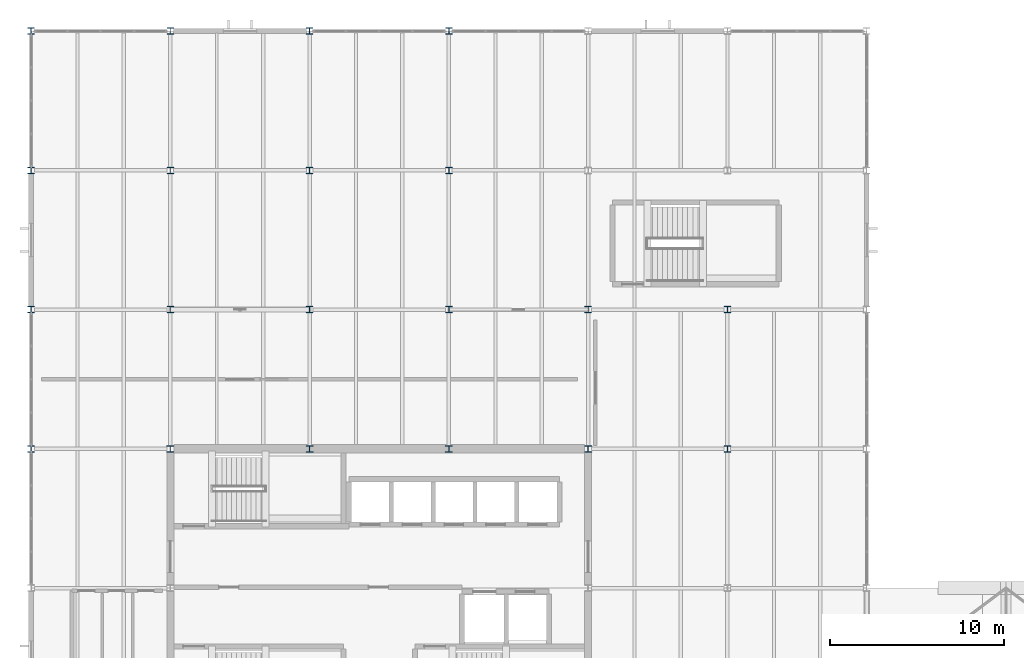
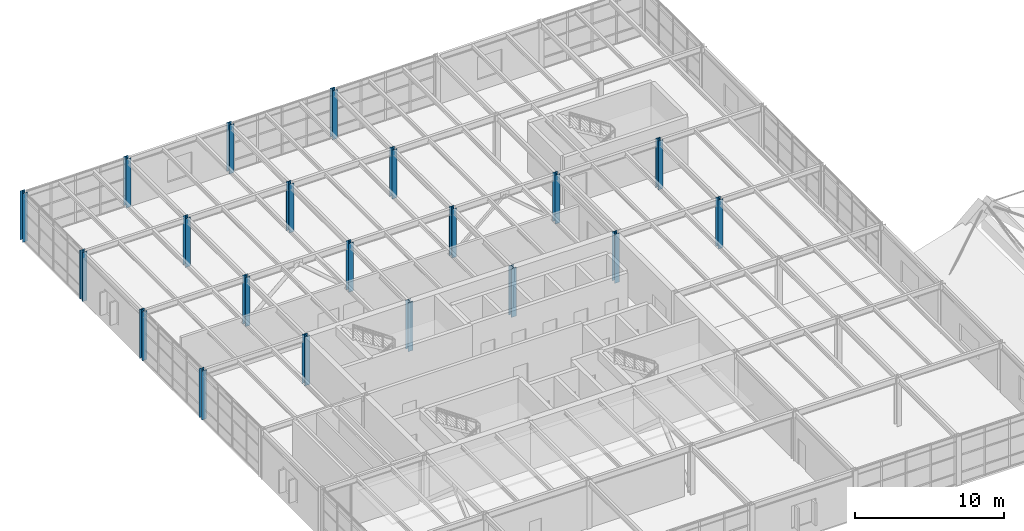
# One storey, part 3 of 50: 20 columns.
"""IFC4 building model written with IfcOpenShell, lengths in metres."""

from ifc_helpers import new_model, si_unit, direction, frame, origin, origin_2d, place, context, subcontext, project, spatial, i_section, extrude, material, material_profile, profile_set, type_object, element, save


model = new_model("IFC4")

# Units and contexts
model_context = context("Model", 3, precision=1e-05, world=origin(), true_north=direction((0.0, 1.0)))
body_context = subcontext(model_context, "Body", "Model", "MODEL_VIEW")
ifc_project = project(units=[si_unit("LENGTHUNIT", "METRE"), si_unit("AREAUNIT", "SQUARE_METRE"), si_unit("VOLUMEUNIT", "CUBIC_METRE"), si_unit("PLANEANGLEUNIT", "RADIAN"), si_unit("MASSUNIT", "GRAM", prefix="KILO")], contexts=[model_context])

# Site, building, storey
site_placement = place(None, origin())
site = spatial("IfcSite", under=ifc_project, at=site_placement, CompositionType="ELEMENT")
building_placement = place(site_placement, origin())
building = spatial("IfcBuilding", under=site, at=building_placement, Name="Varnela Railside Interchange", CompositionType="ELEMENT")
storey_placement = place(building_placement, frame((0.0, 0.0, 15.39990234375)))
storey = spatial("IfcBuildingStorey", under=building, at=storey_placement, Name="L03", CompositionType="ELEMENT", Elevation=15.39990234375)

# Columns
ifc_material = material(Name="Steel AR 350 (350 MPa)", Category="steel")
ifc_material_profile_1 = material_profile(ifc_material, i_section(OverallWidth=0.39404296875, OverallDepth=0.375, WebThickness=0.017333984375, FlangeThickness=0.027587890625, at=origin_2d()), Name="W360x216")
ifc_profile_set_1 = profile_set([ifc_material_profile_1], Name="Steel AR 350 (350 MPa)")
column_type_1 = type_object("IfcColumnType", Name="Superstructure Steel Col C-17", PredefinedType="COLUMN", material=ifc_profile_set_1)
for number, where, z_axis, x_axis, name in (
    (1, (12.0, 70.0, 0.0), (0.0, 0.0, 1.0), (1.0, 0.0, 0.0), "Column C-17 (L03) (CL-0861)"),
    (2, (20.0, 70.0, 0.0), (0.0, 0.0, 1.0), (1.0, 0.0, 0.0), "Column C-17 (L03) (CL-0868)"),
    (3, (28.0, 70.0, 0.0), (0.0, 0.0, 1.0), (1.0, 0.0, 0.0), "Column C-17 (L03) (CL-0875)"),
    (4, (36.0, 70.0, 0.0), (0.0, 0.0, 1.0), (1.0, 0.0, 0.0), "Column C-17 (L03) (CL-0883)"),
):
    element("IfcColumn", number, at=place(storey_placement, frame(where, z_axis=z_axis, x_axis=x_axis)), inside=storey, type_object=column_type_1, Name=name, PredefinedType="COLUMN", context=body_context, shape_type="SweptSolid", body=[
        extrude(i_section(OverallWidth=0.39404296875, OverallDepth=0.375, WebThickness=0.017333984375, FlangeThickness=0.027587890625, at=origin_2d()), origin(), (0.0, 0.0, 1.0), 4.0),
    ])
ifc_material_profile_2 = material_profile(ifc_material, i_section(OverallWidth=0.373046875, OverallDepth=0.367919921875, WebThickness=0.014892578125, FlangeThickness=0.02392578125, at=origin_2d()), Name="W360x179")
ifc_profile_set_2 = profile_set([ifc_material_profile_2], Name="Steel AR 350 (350 MPa)")
column_type_2 = type_object("IfcColumnType", Name="Superstructure Steel Col C-18", PredefinedType="COLUMN", material=ifc_profile_set_2)
for number, where, z_axis, x_axis, name in (
    (5, (4.0, 70.0, 0.0), (0.0, 0.0, 1.0), (1.0, 0.0, 0.0), "Column C-18 (L03) (CL-0853)"),
    (6, (4.0, 78.0, 0.0), (0.0, 0.0, 1.0), (1.0, 0.0, 0.0), "Column C-18 (L03) (CL-0854)"),
    (7, (4.0, 86.0, 0.0), (0.0, 0.0, 1.0), (1.0, 0.0, 0.0), "Column C-18 (L03) (CL-0855)"),
    (8, (4.0, 94.0, 0.0), (0.0, 0.0, 1.0), (1.0, 0.0, 0.0), "Column C-18 (L03) (CL-0856)"),
    (9, (12.0, 78.0, 0.0), (0.0, 0.0, 1.0), (1.0, 0.0, 0.0), "Column C-18 (L03) (CL-0862)"),
    (10, (12.0, 86.0, 0.0), (0.0, 0.0, 1.0), (1.0, 0.0, 0.0), "Column C-18 (L03) (CL-0863)"),
    (11, (12.0, 94.0, 0.0), (0.0, 0.0, 1.0), (1.0, 0.0, 0.0), "Column C-18 (L03) (CL-0864)"),
    (12, (20.0, 78.0, 0.0), (0.0, 0.0, 1.0), (1.0, 0.0, 0.0), "Column C-18 (L03) (CL-0869)"),
    (13, (20.0, 86.0, 0.0), (0.0, 0.0, 1.0), (1.0, 0.0, 0.0), "Column C-18 (L03) (CL-0870)"),
    (14, (20.0, 94.0, 0.0), (0.0, 0.0, 1.0), (1.0, 0.0, 0.0), "Column C-18 (L03) (CL-0871)"),
    (15, (28.0, 78.0, 0.0), (0.0, 0.0, 1.0), (1.0, 0.0, 0.0), "Column C-18 (L03) (CL-0876)"),
    (16, (28.0, 86.0, 0.0), (0.0, 0.0, 1.0), (1.0, 0.0, 0.0), "Column C-18 (L03) (CL-0877)"),
    (17, (28.0, 94.0, 0.0), (0.0, 0.0, 1.0), (1.0, 0.0, 0.0), "Column C-18 (L03) (CL-0878)"),
    (18, (36.0, 78.0, 0.0), (0.0, 0.0, 1.0), (1.0, 0.0, 0.0), "Column C-18 (L03) (CL-0884)"),
    (19, (44.0, 70.0, 0.0), (0.0, 0.0, 1.0), (1.0, 0.0, 0.0), "Column C-18 (L03) (CL-0891)"),
    (20, (44.0, 78.0, 0.0), (0.0, 0.0, 1.0), (1.0, 0.0, 0.0), "Column C-18 (L03) (CL-0892)"),
):
    element("IfcColumn", number, at=place(storey_placement, frame(where, z_axis=z_axis, x_axis=x_axis)), inside=storey, type_object=column_type_2, Name=name, PredefinedType="COLUMN", context=body_context, shape_type="SweptSolid", body=[
        extrude(i_section(OverallWidth=0.373046875, OverallDepth=0.367919921875, WebThickness=0.014892578125, FlangeThickness=0.02392578125, at=origin_2d()), origin(), (0.0, 0.0, 1.0), 4.0),
    ])

save(model, "model.ifc")
